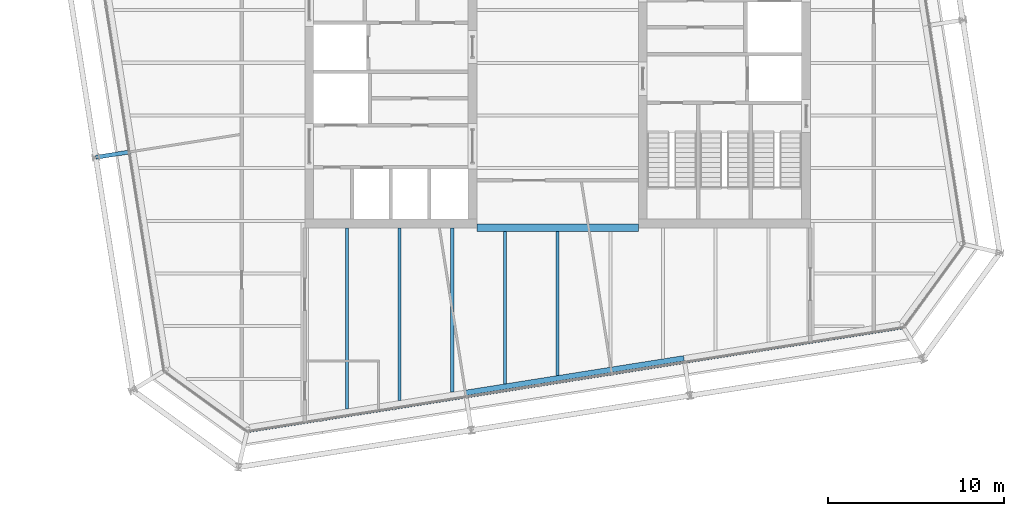
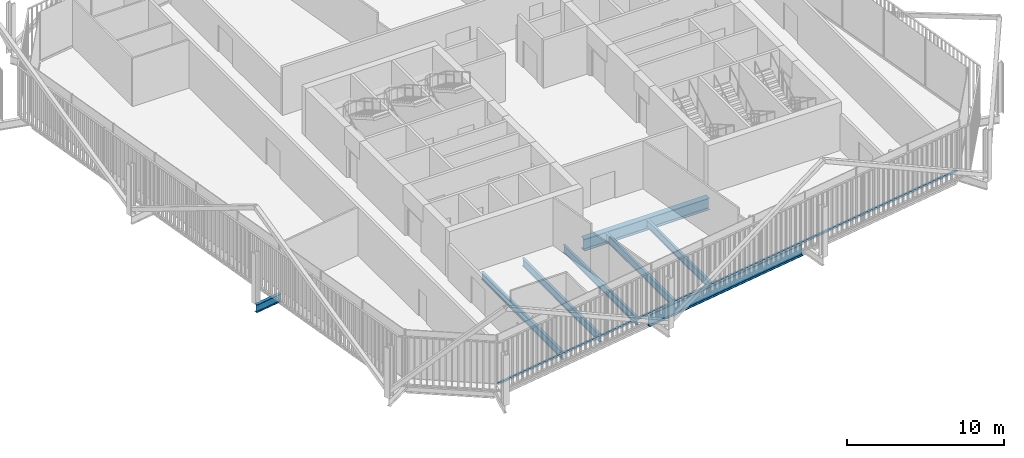
# One storey, part 4 of 21: 8 beams, 1 member, 1 element without a shape of its own.
"""IFC4 building model written with IfcOpenShell, lengths in metres."""

from ifc_helpers import new_model, si_unit, direction, frame, origin, origin_2d, place, context, subcontext, project, spatial, rectangle, i_section, extrude, material, layer, layer_set, material_profile, profile_set, type_object, element, aggregate, save


model = new_model("IFC4")

# Units and contexts
model_context = context("Model", 3, precision=1e-05, world=origin(), true_north=direction((0.0, 1.0)))
body_context = subcontext(model_context, "Body", "Model", "MODEL_VIEW")
ifc_project = project(units=[si_unit("LENGTHUNIT", "METRE"), si_unit("AREAUNIT", "SQUARE_METRE"), si_unit("VOLUMEUNIT", "CUBIC_METRE"), si_unit("PLANEANGLEUNIT", "RADIAN"), si_unit("MASSUNIT", "GRAM", prefix="KILO")], contexts=[model_context])

# Site, building, storey
site_placement = place(None, origin())
site = spatial("IfcSite", under=ifc_project, at=site_placement, CompositionType="ELEMENT")
building_placement = place(site_placement, origin())
building = spatial("IfcBuilding", under=site, at=building_placement, Name="Millrace Tower", CompositionType="ELEMENT")
storey_placement = place(building_placement, frame((0.0, 0.0, 255.199951171875)))
storey = spatial("IfcBuildingStorey", under=building, at=storey_placement, Name="L58", CompositionType="ELEMENT", Elevation=255.199951171875)

# Curtain wall, member
ifc_material_1 = material(Name="Aluminium and glass", Category="aluminium")
ifc_layer = layer(ifc_material_1, 0.14990234375)
ifc_layer_set = layer_set([ifc_layer], Name="Aluminium and glass")
curtain_wall_type = type_object("IfcCurtainWallType", Name="CW-1 office vision curtain wall", PredefinedType="NOTDEFINED", material=ifc_layer_set)
curtain_wall_placement = place(storey_placement, origin())
curtain_wall = element("IfcCurtainWall", 1, at=curtain_wall_placement, inside=storey, type_object=curtain_wall_type, Name="Curtain wall D-F02 L58", PredefinedType="NOTDEFINED")
ifc_material_2 = material(Name="Aluminium", Category="aluminium")
ifc_material_profile_1 = material_profile(ifc_material_2, rectangle(XDim=0.14990234375, YDim=0.139892578125, at=origin_2d()))
ifc_profile_set_1 = profile_set([ifc_material_profile_1], Name="Aluminium")
member_type = type_object("IfcMemberType", Name="CW-1 office vision curtain wall transom", PredefinedType="USERDEFINED", material=ifc_profile_set_1)
member_placement = place(storey_placement, frame((-17.558837890625, -20.98193359375, 0.070068359375), z_axis=(0.987687829698, 0.156437690685, 0.0), x_axis=(-0.156437690685, 0.987687829698, 0.0)))
member = element("IfcMember", 2, at=member_placement, type_object=member_type, Name="CW1 transom D-F02.1", ObjectType="TRANSOM", PredefinedType="USERDEFINED", context=body_context, shape_type="SweptSolid", body=[
    extrude(rectangle(XDim=0.14990234375, YDim=0.139892578125, at=origin_2d()), origin(), (0.0, 0.0, 1.0), 37.60009765625),
])
aggregate(curtain_wall, [member])

# Beams
ifc_material_3 = material(Name="Steel ASTM A992 Grade 50", Category="steel")
ifc_material_profile_2 = material_profile(ifc_material_3, i_section(OverallWidth=0.177978515625, OverallDepth=0.599365234375, WebThickness=0.010009765625, FlangeThickness=0.012939453125, FilletRadius=0.012939453125, at=origin_2d()))
ifc_profile_set_2 = profile_set([ifc_material_profile_2], Name="Steel ASTM A992 Grade 50")
beam_type_1 = type_object("IfcBeamType", Name="Floor beam W24x55", PredefinedType="JOIST", material=ifc_profile_set_2)
beam_1_placement = place(storey_placement, frame((-9.0, -19.2392578125, -0.459716796875), z_axis=(0.0, 1.0, 0.0), x_axis=(-1.0, 0.0, 0.0)))
element("IfcBeam", 3, at=beam_1_placement, inside=storey, type_object=beam_type_1, Name="BM-D-L58-S1-S039", PredefinedType="JOIST", context=body_context, shape_type="SweptSolid", body=[
    extrude(i_section(OverallWidth=0.177978515625, OverallDepth=0.599365234375, WebThickness=0.010009765625, FlangeThickness=0.012939453125, FilletRadius=0.012939453125, at=origin_2d()), origin(), (0.0, 0.0, 1.0), 9.83935546875),
])
beam_2_placement = place(storey_placement, frame((-6.0, -18.763916015625, -0.459716796875), z_axis=(0.0, 1.0, 0.0), x_axis=(-1.0, 0.0, 0.0)))
element("IfcBeam", 4, at=beam_2_placement, inside=storey, type_object=beam_type_1, Name="BM-D-L58-S1-S041", PredefinedType="JOIST", context=body_context, shape_type="SweptSolid", body=[
    extrude(i_section(OverallWidth=0.177978515625, OverallDepth=0.599365234375, WebThickness=0.010009765625, FlangeThickness=0.012939453125, FilletRadius=0.012939453125, at=origin_2d()), origin(), (0.0, 0.0, 1.0), 9.364013671875),
])
beam_3_placement = place(storey_placement, frame((-3.0, -18.288818359375, -0.459716796875), z_axis=(0.0, 1.0, 0.0), x_axis=(-1.0, 0.0, 0.0)))
element("IfcBeam", 5, at=beam_3_placement, inside=storey, type_object=beam_type_1, Name="BM-D-L58-S1-S043", PredefinedType="JOIST", context=body_context, shape_type="SweptSolid", body=[
    extrude(i_section(OverallWidth=0.177978515625, OverallDepth=0.599365234375, WebThickness=0.010009765625, FlangeThickness=0.012939453125, FilletRadius=0.012939453125, at=origin_2d()), origin(), (0.0, 0.0, 1.0), 8.67919921875),
])
beam_4_placement = place(storey_placement, frame((0.0, -17.813720703125, -0.459716796875), z_axis=(0.0, 1.0, 0.0), x_axis=(-1.0, 0.0, 0.0)))
element("IfcBeam", 6, at=beam_4_placement, inside=storey, type_object=beam_type_1, Name="BM-D-L58-S1-S045", PredefinedType="JOIST", context=body_context, shape_type="SweptSolid", body=[
    extrude(i_section(OverallWidth=0.177978515625, OverallDepth=0.599365234375, WebThickness=0.010009765625, FlangeThickness=0.012939453125, FilletRadius=0.012939453125, at=origin_2d()), origin(), (0.0, 0.0, 1.0), 8.2041015625),
])
ifc_material_4 = material(Name="Steel ASTM A992 Grade 50", Category="steel")
ifc_material_profile_3 = material_profile(ifc_material_4, i_section(OverallWidth=0.1787109375, OverallDepth=0.60205078125, WebThickness=0.010986328125, FlangeThickness=0.014892578125, FilletRadius=0.0126953125, at=origin_2d()))
ifc_profile_set_3 = profile_set([ifc_material_profile_3], Name="Steel ASTM A992 Grade 50")
beam_type_2 = type_object("IfcBeamType", Name="Floor beam W24x62", PredefinedType="JOIST", material=ifc_profile_set_3)
beam_5_placement = place(storey_placement, frame((-12.0, -19.71435546875, -0.4609375), z_axis=(0.0, 1.0, 0.0), x_axis=(-1.0, 0.0, 0.0)))
element("IfcBeam", 7, at=beam_5_placement, inside=storey, type_object=beam_type_2, Name="BM-D-L58-S1-S037", PredefinedType="JOIST", context=body_context, shape_type="SweptSolid", body=[
    extrude(i_section(OverallWidth=0.1787109375, OverallDepth=0.60205078125, WebThickness=0.010986328125, FlangeThickness=0.014892578125, FilletRadius=0.0126953125, at=origin_2d()), origin(), (0.0, 0.0, 1.0), 10.314453125),
])
ifc_material_5 = material(Name="Steel ASTM A992 Grade 50", Category="steel")
ifc_material_profile_4 = material_profile(ifc_material_5, i_section(OverallWidth=0.419189453125, OverallDepth=0.927001953125, WebThickness=0.019287109375, FlangeThickness=0.031982421875, FilletRadius=0.024169921875, at=origin_2d()))
ifc_profile_set_4 = profile_set([ifc_material_profile_4], Name="Steel ASTM A992 Grade 50")
beam_type_3 = type_object("IfcBeamType", Name="Girder short span W36x231", PredefinedType="BEAM", material=ifc_profile_set_4)
beam_6_placement = place(storey_placement, frame((-4.60009765625, -9.39990234375, -0.62353515625), z_axis=(1.0, 0.0, 0.0), x_axis=(0.0, 1.0, 0.0)))
element("IfcBeam", 8, at=beam_6_placement, inside=storey, type_object=beam_type_3, Name="BM-D-L58-S1-G059", PredefinedType="BEAM", context=body_context, shape_type="SweptSolid", body=[
    extrude(i_section(OverallWidth=0.419189453125, OverallDepth=0.927001953125, WebThickness=0.019287109375, FlangeThickness=0.031982421875, FilletRadius=0.024169921875, at=origin_2d()), origin(), (0.0, 0.0, 1.0), 9.2001953125),
])
ifc_material_6 = material(Name="Steel ASTM A992 Grade 50", Category="steel")
ifc_material_profile_5 = material_profile(ifc_material_6, i_section(OverallWidth=0.23046875, OverallDepth=0.6171875, WebThickness=0.01318359375, FlangeThickness=0.022216796875, FilletRadius=0.012939453125, at=origin_2d()))
ifc_profile_set_5 = profile_set([ifc_material_profile_5], Name="Steel ASTM A992 Grade 50")
beam_type_4 = type_object("IfcBeamType", Name="Link beam W24x94", PredefinedType="BEAM", material=ifc_profile_set_5)
beam_7_placement = place(storey_placement, frame((-24.331298828125, -5.0703125, -0.468505859375), z_axis=(-0.987678691416, -0.156495375404, 0.0), x_axis=(0.156495375404, -0.987678691416, 0.0)))
element("IfcBeam", 9, at=beam_7_placement, inside=storey, type_object=beam_type_4, Name="LNK-D-L58-S1-02", PredefinedType="BEAM", context=body_context, shape_type="SweptSolid", body=[
    extrude(i_section(OverallWidth=0.23046875, OverallDepth=0.6171875, WebThickness=0.01318359375, FlangeThickness=0.022216796875, FilletRadius=0.012939453125, at=origin_2d()), origin(), (0.0, 0.0, 1.0), 2.0),
])
ifc_material_7 = material(Name="Steel ASTM A992 Grade 50", Category="steel")
ifc_material_profile_6 = material_profile(ifc_material_7, i_section(OverallWidth=0.307373046875, OverallDepth=0.927001953125, WebThickness=0.01953125, FlangeThickness=0.031982421875, FilletRadius=0.01904296875, at=origin_2d()))
ifc_profile_set_6 = profile_set([ifc_material_profile_6], Name="Steel ASTM A992 Grade 50")
beam_type_5 = type_object("IfcBeamType", Name="Ring beam medium span W36x194", PredefinedType="SPANDREL", material=ifc_profile_set_6)
beam_8_placement = place(storey_placement, frame((7.1962890625, -16.82958984375, -0.62353515625), z_axis=(-0.987689802912, -0.156425232058, 0.0), x_axis=(0.156425232058, -0.987689802912, 0.0)))
element("IfcBeam", 10, at=beam_8_placement, inside=storey, type_object=beam_type_5, Name="RNG-D-L58-S1-14", PredefinedType="SPANDREL", context=body_context, shape_type="SweptSolid", body=[
    extrude(i_section(OverallWidth=0.307373046875, OverallDepth=0.927001953125, WebThickness=0.01953125, FlangeThickness=0.031982421875, FilletRadius=0.01904296875, at=origin_2d()), origin(), (0.0, 0.0, 1.0), 12.599853515625),
])

save(model, "model.ifc")
